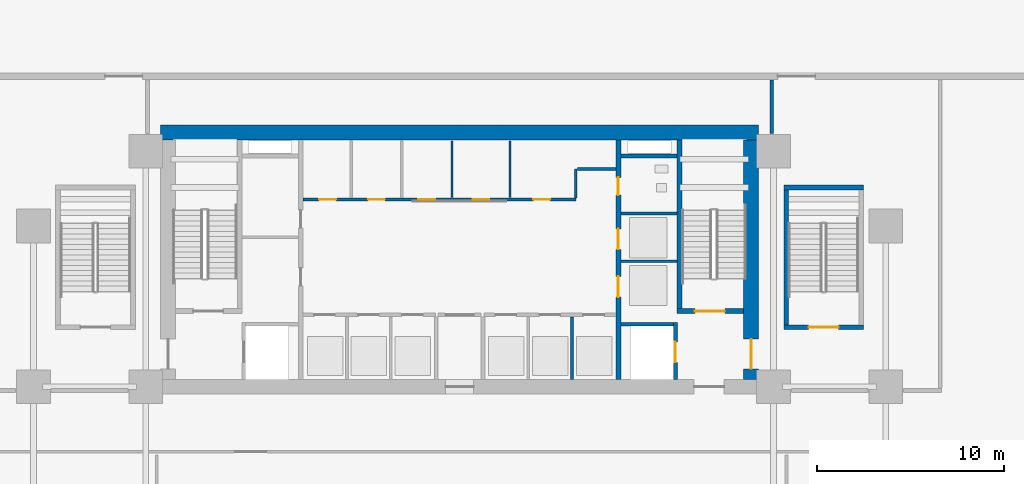
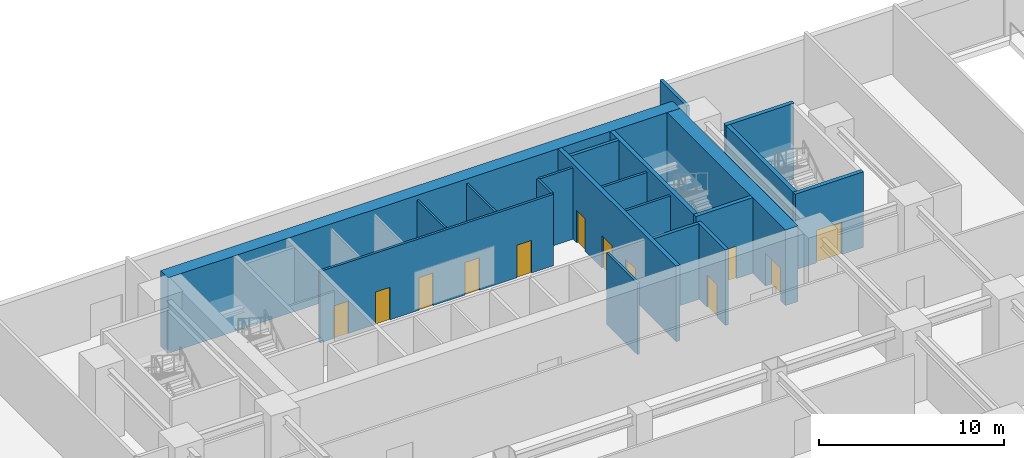
# One storey, part 10 of 18: 20 walls, 12 doors, 12 openings.
"""IFC4 building model written with IfcOpenShell, lengths in metres."""

from ifc_helpers import new_model, si_unit, direction, frame, frame_2d, origin, place, context, subcontext, project, spatial, rectangle, extrude, source, transform, mapped, material, layer, layer_set, type_object, element, fill, save


model = new_model("IFC4")

# Units and contexts
model_context = context("Model", 3, precision=1e-05, world=origin(), true_north=direction((0.0, 1.0)))
body_context = subcontext(model_context, "Body", "Model", "MODEL_VIEW")
ifc_project = project(units=[si_unit("LENGTHUNIT", "METRE"), si_unit("AREAUNIT", "SQUARE_METRE"), si_unit("VOLUMEUNIT", "CUBIC_METRE"), si_unit("PLANEANGLEUNIT", "RADIAN"), si_unit("MASSUNIT", "GRAM", prefix="KILO")], contexts=[model_context])

# Site, building, storey
site_placement = place(None, origin())
site = spatial("IfcSite", under=ifc_project, at=site_placement, CompositionType="ELEMENT")
building_placement = place(site_placement, origin())
building = spatial("IfcBuilding", under=site, at=building_placement, Name="Sumidabori Civic Tower", CompositionType="ELEMENT")
storey_placement = place(building_placement, origin())
storey = spatial("IfcBuildingStorey", under=building, at=storey_placement, Name="L00", CompositionType="ELEMENT", Elevation=0.0)

# Wall
ifc_material_1 = material(Name="Concrete C60/75", Category="concrete")
ifc_layer_1 = layer(ifc_material_1, 0.800048828125, Name="Concrete C60/75")
ifc_layer_set_1 = layer_set([ifc_layer_1], Name="Concrete C60/75")
wall_type_1 = type_object("IfcWallType", Name="WL-CORE-800", PredefinedType="SHEAR", material=ifc_layer_set_1)
shared_shape_1 = source(origin(), body_context, "Body", "SweptSolid", [
    extrude(rectangle(XDim=32.0, YDim=0.800048828125, at=frame_2d((16.0, 0.0))), origin(), (0.0, 0.0, 1.0), 5.0),
])
wall_1_placement = place(storey_placement, frame((-16.0, 23.800048828125, 0.0), z_axis=(0.0, 0.0, 1.0), x_axis=(1.0, 0.0, 0.0)))
element("IfcWall", 1, at=wall_1_placement, inside=storey, type_object=wall_type_1, Name="Core Shear Wall L00 N", PredefinedType="SHEAR", context=body_context, shape_type="MappedRepresentation", body=[
    mapped(shared_shape_1, transform((0.0, 0.0, 0.0), x_axis=(1.0, 0.0, 0.0), y_axis=(0.0, 1.0, 0.0), z_axis=(0.0, 0.0, 1.0), scale=1.0)),
])

# Wall, opening, door
shared_shape_2 = source(origin(), body_context, "Body", "SweptSolid", [
    extrude(rectangle(XDim=12.7998046875, YDim=0.800048828125, at=frame_2d((6.39990234375, 0.0))), origin(), (0.0, 0.0, 1.0), 5.0),
])
wall_2_placement = place(storey_placement, frame((15.60009765625, 10.60009765625, 0.0), z_axis=(0.0, 0.0, 1.0), x_axis=(0.0, 1.0, 0.0)))
wall_2 = element("IfcWall", 2, at=wall_2_placement, inside=storey, type_object=wall_type_1, Name="Core Shear Wall L00 E", PredefinedType="SHEAR", context=body_context, shape_type="MappedRepresentation", body=[
    mapped(shared_shape_2, transform((0.0, 0.0, 0.0), x_axis=(1.0, 0.0, 0.0), y_axis=(0.0, 1.0, 0.0), z_axis=(0.0, 0.0, 1.0), scale=1.0)),
])
opening_1_placement = place(wall_2_placement, frame((0.550048828125, 0.0, 0.0)))
opening_1 = element("IfcOpeningElement", 3, at=opening_1_placement, cuts=wall_2, Name="Opening DR-FD4", PredefinedType="OPENING", context=body_context, shape_type="SweptSolid", body=[
    extrude(rectangle(XDim=1.60009765625, YDim=2.14990234375, at=frame_2d((0.800048828125, 1.074951171875))), frame((0.0, 0.412109375, 0.0), z_axis=(0.0, -1.0, 0.0), x_axis=(1.0, 0.0, 0.0)), (0.0, 0.0, 1.0), 0.823974609375),
])
ifc_material_2 = material(Name="Steel SN490", Category="steel")
door_type_1 = type_object("IfcDoorType", Name="DR-FD4", OperationType="DOUBLE_DOOR_SINGLE_SWING", PredefinedType="DOOR", material=ifc_material_2)
shared_shape_3 = source(origin(), body_context, "Body", "SweptSolid", [
    extrude(rectangle(XDim=1.60009765625, YDim=2.14990234375, at=frame_2d((0.800048828125, 1.074951171875))), frame((0.0, 0.02490234375, 0.0), z_axis=(0.0, -1.0, 0.0), x_axis=(1.0, 0.0, 0.0)), (0.0, 0.0, 1.0), 0.050048828125),
])
door_1_placement = place(opening_1_placement, origin())
door_1 = element("IfcDoor", 4, at=door_1_placement, inside=storey, type_object=door_type_1, Name="Door DR:L00:EXP-IN-E", OperationType="DOUBLE_DOOR_SINGLE_SWING", OverallHeight=2.14990234375, OverallWidth=1.60009765625, PredefinedType="DOOR", context=body_context, shape_type="MappedRepresentation", body=[
    mapped(shared_shape_3, transform((0.0, 0.0, 0.0), x_axis=(1.0, 0.0, 0.0), y_axis=(0.0, 1.0, 0.0), z_axis=(0.0, 0.0, 1.0), scale=1.0)),
])
fill(opening_1, door_1)

# Wall, openings, doors
ifc_material_3 = material(Name="Concrete C50/60", Category="concrete")
ifc_layer_2 = layer(ifc_material_3, 0.25, Name="Concrete C50/60")
ifc_layer_set_2 = layer_set([ifc_layer_2], Name="Concrete C50/60")
wall_type_2 = type_object("IfcWallType", Name="WL-SHAFT-250", PredefinedType="SHEAR", material=ifc_layer_set_2)
shared_shape_4 = source(origin(), body_context, "Body", "SweptSolid", [
    extrude(rectangle(XDim=12.7998046875, YDim=0.25, at=frame_2d((6.39990234375, 0.0))), origin(), (0.0, 0.0, 1.0), 5.0),
])
wall_3_placement = place(storey_placement, frame((8.5, 10.60009765625, 0.0), z_axis=(0.0, 0.0, 1.0), x_axis=(0.0, 1.0, 0.0)))
wall_3 = element("IfcWall", 5, at=wall_3_placement, inside=storey, type_object=wall_type_2, Name="Core Shear Wall L00 WEB-E", PredefinedType="SHEAR", context=body_context, shape_type="MappedRepresentation", body=[
    mapped(shared_shape_4, transform((0.0, 0.0, 0.0), x_axis=(1.0, 0.0, 0.0), y_axis=(0.0, 1.0, 0.0), z_axis=(0.0, 0.0, 1.0), scale=1.0)),
])
opening_2_placement = place(wall_3_placement, frame((4.39990234375, 0.0, 0.0)))
opening_2 = element("IfcOpeningElement", 6, at=opening_2_placement, cuts=wall_3, Name="Opening LD-1", PredefinedType="OPENING", context=body_context, shape_type="SweptSolid", body=[
    extrude(rectangle(XDim=1.10009765625, YDim=2.14990234375, at=frame_2d((0.550048828125, 1.074951171875))), frame((0.0, 0.136962890625, 0.0), z_axis=(0.0, -1.0, 0.0), x_axis=(1.0, 0.0, 0.0)), (0.0, 0.0, 1.0), 0.27392578125),
])
opening_3_placement = place(wall_3_placement, frame((6.949951171875, 0.0, 0.0)))
opening_3 = element("IfcOpeningElement", 7, at=opening_3_placement, cuts=wall_3, Name="Opening LD-1", PredefinedType="OPENING", context=body_context, shape_type="SweptSolid", body=[
    extrude(rectangle(XDim=1.10009765625, YDim=2.14990234375, at=frame_2d((0.550048828125, 1.074951171875))), frame((0.0, 0.136962890625, 0.0), z_axis=(0.0, -1.0, 0.0), x_axis=(1.0, 0.0, 0.0)), (0.0, 0.0, 1.0), 0.27392578125),
])
opening_4_placement = place(wall_3_placement, frame((9.85009765625, 0.0, 0.0)))
opening_4 = element("IfcOpeningElement", 8, at=opening_4_placement, cuts=wall_3, Name="Opening DR-2", PredefinedType="OPENING", context=body_context, shape_type="SweptSolid", body=[
    extrude(rectangle(XDim=0.949951171875, YDim=2.14990234375, at=frame_2d((0.47509765625, 1.074951171875))), frame((0.0, 0.136962890625, 0.0), z_axis=(0.0, -1.0, 0.0), x_axis=(1.0, 0.0, 0.0)), (0.0, 0.0, 1.0), 0.27392578125),
])
ifc_material_4 = material(Name="Stainless Steel Hairline Finish", Category="steel")
door_type_2 = type_object("IfcDoorType", Name="DR-LD1", OperationType="DOUBLE_DOOR_SLIDING", PredefinedType="DOOR", material=ifc_material_4)
shared_shape_5 = source(origin(), body_context, "Body", "SweptSolid", [
    extrude(rectangle(XDim=1.10009765625, YDim=2.14990234375, at=frame_2d((0.550048828125, 1.074951171875))), frame((0.0, 0.02490234375, 0.0), z_axis=(0.0, -1.0, 0.0), x_axis=(1.0, 0.0, 0.0)), (0.0, 0.0, 1.0), 0.050048828125),
])
door_2_placement = place(opening_2_placement, origin())
door_2 = element("IfcDoor", 9, at=door_2_placement, inside=storey, type_object=door_type_2, Name="Door DR:L00:LD-OBS1", OperationType="DOUBLE_DOOR_SLIDING", OverallHeight=2.14990234375, OverallWidth=1.10009765625, PredefinedType="DOOR", context=body_context, shape_type="MappedRepresentation", body=[
    mapped(shared_shape_5, transform((0.0, 0.0, 0.0), x_axis=(1.0, 0.0, 0.0), y_axis=(0.0, 1.0, 0.0), z_axis=(0.0, 0.0, 1.0), scale=1.0)),
])
fill(opening_2, door_2)
door_3_placement = place(opening_3_placement, origin())
door_3 = element("IfcDoor", 10, at=door_3_placement, inside=storey, type_object=door_type_2, Name="Door DR:L00:LD-OBS2", OperationType="DOUBLE_DOOR_SLIDING", OverallHeight=2.14990234375, OverallWidth=1.10009765625, PredefinedType="DOOR", context=body_context, shape_type="MappedRepresentation", body=[
    mapped(shared_shape_5, transform((0.0, 0.0, 0.0), x_axis=(1.0, 0.0, 0.0), y_axis=(0.0, 1.0, 0.0), z_axis=(0.0, 0.0, 1.0), scale=1.0)),
])
fill(opening_3, door_3)
ifc_material_5 = material(Name="Japanese Hinoki Timber", Category="wood")
door_type_3 = type_object("IfcDoorType", Name="DR-INT-950", OperationType="NOTDEFINED", PredefinedType="DOOR", material=ifc_material_5)
shared_shape_6 = source(origin(), body_context, "Body", "SweptSolid", [
    extrude(rectangle(XDim=0.949951171875, YDim=2.14990234375, at=frame_2d((0.47509765625, 1.074951171875))), frame((0.0, 0.02490234375, 0.0), z_axis=(0.0, -1.0, 0.0), x_axis=(1.0, 0.0, 0.0)), (0.0, 0.0, 1.0), 0.050048828125),
])
door_4_placement = place(opening_4_placement, origin())
door_4 = element("IfcDoor", 11, at=door_4_placement, inside=storey, type_object=door_type_3, Name="Door DR:L00:WC-ACC", OperationType="SINGLE_SWING_RIGHT", OverallHeight=2.14990234375, OverallWidth=0.949951171875, PredefinedType="DOOR", context=body_context, shape_type="MappedRepresentation", body=[
    mapped(shared_shape_6, transform((0.0, 0.0, 0.0), x_axis=(1.0, 0.0, 0.0), y_axis=(0.0, 1.0, 0.0), z_axis=(0.0, 0.0, 1.0), scale=1.0)),
])
fill(opening_4, door_4)

# Wall, opening, door
shared_shape_7 = source(origin(), body_context, "Body", "SweptSolid", [
    extrude(rectangle(XDim=3.554931640625, YDim=0.25, at=frame_2d((1.77734375, 0.0))), origin(), (0.0, 0.0, 1.0), 5.0),
])
wall_4_placement = place(storey_placement, frame((11.64501953125, 14.25, 0.0), z_axis=(0.0, 0.0, 1.0), x_axis=(1.0, 0.0, 0.0)))
wall_4 = element("IfcWall", 12, at=wall_4_placement, inside=storey, type_object=wall_type_2, Name="Core Shear Wall L00 ST2-S", PredefinedType="SHEAR", context=body_context, shape_type="MappedRepresentation", body=[
    mapped(shared_shape_7, transform((0.0, 0.0, 0.0), x_axis=(1.0, 0.0, 0.0), y_axis=(0.0, 1.0, 0.0), z_axis=(0.0, 0.0, 1.0), scale=1.0)),
])
opening_5_placement = place(wall_4_placement, frame((0.949951171875, 0.0, 0.0)))
opening_5 = element("IfcOpeningElement", 13, at=opening_5_placement, cuts=wall_4, Name="Opening DR-FD4", PredefinedType="OPENING", context=body_context, shape_type="SweptSolid", body=[
    extrude(rectangle(XDim=1.60009765625, YDim=2.14990234375, at=frame_2d((0.800048828125, 1.074951171875))), frame((0.0, 0.136962890625, 0.0), z_axis=(0.0, -1.0, 0.0), x_axis=(1.0, 0.0, 0.0)), (0.0, 0.0, 1.0), 0.27392578125),
])
door_5_placement = place(opening_5_placement, origin())
door_5 = element("IfcDoor", 14, at=door_5_placement, inside=storey, type_object=door_type_1, Name="Door DR:L00:ST2", OperationType="DOUBLE_DOOR_SINGLE_SWING", OverallHeight=2.14990234375, OverallWidth=1.60009765625, PredefinedType="DOOR", context=body_context, shape_type="MappedRepresentation", body=[
    mapped(shared_shape_3, transform((0.0, 0.0, 0.0), x_axis=(1.0, 0.0, 0.0), y_axis=(0.0, 1.0, 0.0), z_axis=(0.0, 0.0, 1.0), scale=1.0)),
])
fill(opening_5, door_5)

# Wall
shared_shape_8 = source(origin(), body_context, "Body", "SweptSolid", [
    extrude(rectangle(XDim=9.02490234375, YDim=0.25, at=frame_2d((4.512451171875, 0.0))), origin(), (0.0, 0.0, 1.0), 5.0),
])
wall_5_placement = place(storey_placement, frame((11.77001953125, 14.375, 0.0), z_axis=(0.0, 0.0, 1.0), x_axis=(0.0, 1.0, 0.0)))
element("IfcWall", 15, at=wall_5_placement, inside=storey, type_object=wall_type_2, Name="Core Shear Wall L00 ST2-W", PredefinedType="SHEAR", context=body_context, shape_type="MappedRepresentation", body=[
    mapped(shared_shape_8, transform((0.0, 0.0, 0.0), x_axis=(1.0, 0.0, 0.0), y_axis=(0.0, 1.0, 0.0), z_axis=(0.0, 0.0, 1.0), scale=1.0)),
])

# Wall, opening, door
ifc_layer_3 = layer(ifc_material_3, 0.199951171875, Name="Concrete C50/60")
ifc_layer_set_3 = layer_set([ifc_layer_3], Name="Concrete C50/60")
wall_type_3 = type_object("IfcWallType", Name="WL-SHAFT-200", PredefinedType="SHEAR", material=ifc_layer_set_3)
shared_shape_9 = source(origin(), body_context, "Body", "SweptSolid", [
    extrude(rectangle(XDim=3.0498046875, YDim=0.199951171875, at=frame_2d((1.52490234375, 0.0))), origin(), (0.0, 0.0, 1.0), 5.0),
])
wall_6_placement = place(storey_placement, frame((11.550048828125, 10.60009765625, 0.0), z_axis=(0.0, 0.0, 1.0), x_axis=(0.0, 1.0, 0.0)))
wall_6 = element("IfcWall", 16, at=wall_6_placement, inside=storey, type_object=wall_type_3, Name="Core Shear Wall L00 EL2-E", PredefinedType="SHEAR", context=body_context, shape_type="MappedRepresentation", body=[
    mapped(shared_shape_9, transform((0.0, 0.0, 0.0), x_axis=(1.0, 0.0, 0.0), y_axis=(0.0, 1.0, 0.0), z_axis=(0.0, 0.0, 1.0), scale=1.0)),
])
opening_6_placement = place(wall_6_placement, frame((0.89990234375, 0.0, 0.0)))
opening_6 = element("IfcOpeningElement", 17, at=opening_6_placement, cuts=wall_6, Name="Opening LD-2", PredefinedType="OPENING", context=body_context, shape_type="SweptSolid", body=[
    extrude(rectangle(XDim=1.10009765625, YDim=2.14990234375, at=frame_2d((0.550048828125, 1.074951171875))), frame((0.0, 0.11181640625, 0.0), z_axis=(0.0, -1.0, 0.0), x_axis=(1.0, 0.0, 0.0)), (0.0, 0.0, 1.0), 0.223876953125),
])
door_type_4 = type_object("IfcDoorType", Name="DR-LD2", OperationType="DOUBLE_DOOR_SLIDING", PredefinedType="DOOR", material=ifc_material_4)
door_6_placement = place(opening_6_placement, origin())
door_6 = element("IfcDoor", 18, at=door_6_placement, inside=storey, type_object=door_type_4, Name="Door DR:L00:LD-EL2", OperationType="DOUBLE_DOOR_SLIDING", OverallHeight=2.14990234375, OverallWidth=1.10009765625, PredefinedType="DOOR", context=body_context, shape_type="MappedRepresentation", body=[
    mapped(shared_shape_5, transform((0.0, 0.0, 0.0), x_axis=(1.0, 0.0, 0.0), y_axis=(0.0, 1.0, 0.0), z_axis=(0.0, 0.0, 1.0), scale=1.0)),
])
fill(opening_6, door_6)

# Walls
shared_shape_10 = source(origin(), body_context, "Body", "SweptSolid", [
    extrude(rectangle(XDim=2.824951171875, YDim=0.199951171875, at=frame_2d((1.41259765625, 0.0))), origin(), (0.0, 0.0, 1.0), 5.0),
])
wall_7_placement = place(storey_placement, frame((8.625, 13.550048828125, 0.0), z_axis=(0.0, 0.0, 1.0), x_axis=(1.0, 0.0, 0.0)))
element("IfcWall", 19, at=wall_7_placement, inside=storey, type_object=wall_type_3, Name="Core Shear Wall L00 EL2-N", PredefinedType="SHEAR", context=body_context, shape_type="MappedRepresentation", body=[
    mapped(shared_shape_10, transform((0.0, 0.0, 0.0), x_axis=(1.0, 0.0, 0.0), y_axis=(0.0, 1.0, 0.0), z_axis=(0.0, 0.0, 1.0), scale=1.0)),
])
shared_shape_11 = source(origin(), body_context, "Body", "SweptSolid", [
    extrude(rectangle(XDim=3.02001953125, YDim=0.199951171875, at=frame_2d((1.510009765625, 0.0))), origin(), (0.0, 0.0, 1.0), 5.0),
])
wall_8_placement = place(storey_placement, frame((8.625, 22.550048828125, 0.0), z_axis=(0.0, 0.0, 1.0), x_axis=(1.0, 0.0, 0.0)))
element("IfcWall", 20, at=wall_8_placement, inside=storey, type_object=wall_type_3, Name="Core Shear Wall L00 RIS2-S", PredefinedType="SHEAR", context=body_context, shape_type="MappedRepresentation", body=[
    mapped(shared_shape_11, transform((0.0, 0.0, 0.0), x_axis=(1.0, 0.0, 0.0), y_axis=(0.0, 1.0, 0.0), z_axis=(0.0, 0.0, 1.0), scale=1.0)),
])
shared_shape_12 = source(origin(), body_context, "Body", "SweptSolid", [
    extrude(rectangle(XDim=4.260009765625, YDim=0.25, at=frame_2d((2.1298828125, 0.0))), origin(), (0.0, 0.0, 1.0), 5.0),
])
wall_9_placement = place(storey_placement, frame((17.35009765625, 20.864990234375, 0.0), z_axis=(0.0, 0.0, 1.0), x_axis=(1.0, 0.0, 0.0)))
element("IfcWall", 21, at=wall_9_placement, inside=storey, type_object=wall_type_2, Name="Core Shear Wall L00 ST4-N", PredefinedType="SHEAR", context=body_context, shape_type="MappedRepresentation", body=[
    mapped(shared_shape_12, transform((0.0, 0.0, 0.0), x_axis=(1.0, 0.0, 0.0), y_axis=(0.0, 1.0, 0.0), z_axis=(0.0, 0.0, 1.0), scale=1.0)),
])

# Wall, opening, door
wall_10_placement = place(storey_placement, frame((17.35009765625, 13.375, 0.0), z_axis=(0.0, 0.0, 1.0), x_axis=(1.0, 0.0, 0.0)))
wall_10 = element("IfcWall", 22, at=wall_10_placement, inside=storey, type_object=wall_type_2, Name="Core Shear Wall L00 ST4-S", PredefinedType="SHEAR", context=body_context, shape_type="MappedRepresentation", body=[
    mapped(shared_shape_12, transform((0.0, 0.0, 0.0), x_axis=(1.0, 0.0, 0.0), y_axis=(0.0, 1.0, 0.0), z_axis=(0.0, 0.0, 1.0), scale=1.0)),
])
opening_7_placement = place(wall_10_placement, frame((1.330078125, 0.0, 0.0)))
opening_7 = element("IfcOpeningElement", 23, at=opening_7_placement, cuts=wall_10, Name="Opening DR-FD4", PredefinedType="OPENING", context=body_context, shape_type="SweptSolid", body=[
    extrude(rectangle(XDim=1.60009765625, YDim=2.14990234375, at=frame_2d((0.800048828125, 1.074951171875))), frame((0.0, 0.136962890625, 0.0), z_axis=(0.0, -1.0, 0.0), x_axis=(1.0, 0.0, 0.0)), (0.0, 0.0, 1.0), 0.27392578125),
])
door_7_placement = place(opening_7_placement, origin())
door_7 = element("IfcDoor", 24, at=door_7_placement, inside=storey, type_object=door_type_1, Name="Door DR:L00:ST4", OperationType="DOUBLE_DOOR_SINGLE_SWING", OverallHeight=2.14990234375, OverallWidth=1.60009765625, PredefinedType="DOOR", context=body_context, shape_type="MappedRepresentation", body=[
    mapped(shared_shape_3, transform((0.0, 0.0, 0.0), x_axis=(1.0, 0.0, 0.0), y_axis=(0.0, 1.0, 0.0), z_axis=(0.0, 0.0, 1.0), scale=1.0)),
])
fill(opening_7, door_7)

# Walls
shared_shape_13 = source(origin(), body_context, "Body", "SweptSolid", [
    extrude(rectangle(XDim=7.230224609375, YDim=0.25, at=frame_2d((3.615234375, 0.0))), origin(), (0.0, 0.0, 1.0), 5.0),
])
wall_11_placement = place(storey_placement, frame((17.47509765625, 13.5048828125, 0.0), z_axis=(0.0, 0.0, 1.0), x_axis=(0.0, 1.0, 0.0)))
element("IfcWall", 25, at=wall_11_placement, inside=storey, type_object=wall_type_2, Name="Core Shear Wall L00 ST4-W", PredefinedType="SHEAR", context=body_context, shape_type="MappedRepresentation", body=[
    mapped(shared_shape_13, transform((0.0, 0.0, 0.0), x_axis=(1.0, 0.0, 0.0), y_axis=(0.0, 1.0, 0.0), z_axis=(0.0, 0.0, 1.0), scale=1.0)),
])
ifc_material_6 = material(Name="Gypsum Plasterboard Acoustic Partition")
ifc_layer_4 = layer(ifc_material_6, 0.14990234375, Name="Gypsum Plasterboard Acoustic Partition")
ifc_layer_set_4 = layer_set([ifc_layer_4], Name="Gypsum Plasterboard Acoustic Partition")
wall_type_4 = type_object("IfcWallType", Name="WL-PART-150", PredefinedType="PARTITIONING", material=ifc_layer_set_4)
shared_shape_14 = source(origin(), body_context, "Body", "SweptSolid", [
    extrude(rectangle(XDim=3.010009765625, YDim=0.14990234375, at=frame_2d((1.5048828125, 0.0))), origin(), (0.0, 0.0, 1.0), 4.719970703125),
])
for number, where, z_axis, x_axis, name in (
    (26, (8.6298828125, 16.919921875, 0.0), (0.0, 0.0, 1.0), (1.0, 0.0, 0.0), "Interior Partition WL:L00:DIV-OBS1"),
    (27, (8.6298828125, 19.469970703125, 0.0), (0.0, 0.0, 1.0), (1.0, 0.0, 0.0), "Interior Partition WL:L00:DIV-OBS2"),
):
    element("IfcWall", number, at=place(storey_placement, frame(where, z_axis=z_axis, x_axis=x_axis)), inside=storey, type_object=wall_type_4, Name=name, PredefinedType="PARTITIONING", context=body_context, shape_type="MappedRepresentation", body=[
        mapped(shared_shape_14, transform((0.0, 0.0, 0.0), x_axis=(1.0, 0.0, 0.0), y_axis=(0.0, 1.0, 0.0), z_axis=(0.0, 0.0, 1.0), scale=1.0)),
    ])

# Wall, openings, doors
shared_shape_15 = source(origin(), body_context, "Body", "SweptSolid", [
    extrude(rectangle(XDim=14.590087890625, YDim=0.14990234375, at=frame_2d((7.294921875, 0.0))), origin(), (0.0, 0.0, 1.0), 4.719970703125),
])
wall_12_placement = place(storey_placement, frame((-8.3701171875, 20.219970703125, 0.0), z_axis=(0.0, 0.0, 1.0), x_axis=(1.0, 0.0, 0.0)))
wall_12 = element("IfcWall", 28, at=wall_12_placement, inside=storey, type_object=wall_type_4, Name="Interior Partition WL:L00:CBAND-M", PredefinedType="PARTITIONING", context=body_context, shape_type="MappedRepresentation", body=[
    mapped(shared_shape_15, transform((0.0, 0.0, 0.0), x_axis=(1.0, 0.0, 0.0), y_axis=(0.0, 1.0, 0.0), z_axis=(0.0, 0.0, 1.0), scale=1.0)),
])
opening_8_placement = place(wall_12_placement, frame((0.860107421875, 0.0, 0.0)))
opening_8 = element("IfcOpeningElement", 29, at=opening_8_placement, cuts=wall_12, Name="Opening DR-1", PredefinedType="OPENING", context=body_context, shape_type="SweptSolid", body=[
    extrude(rectangle(XDim=0.89990234375, YDim=2.14990234375, at=frame_2d((0.449951171875, 1.074951171875))), frame((0.0, 0.0869140625, 0.0), z_axis=(0.0, -1.0, 0.0), x_axis=(1.0, 0.0, 0.0)), (0.0, 0.0, 1.0), 0.173828125),
])
opening_9_placement = place(wall_12_placement, frame((3.469970703125, 0.0, 0.0)))
opening_9 = element("IfcOpeningElement", 30, at=opening_9_placement, cuts=wall_12, Name="Opening DR-1", PredefinedType="OPENING", context=body_context, shape_type="SweptSolid", body=[
    extrude(rectangle(XDim=0.89990234375, YDim=2.14990234375, at=frame_2d((0.449951171875, 1.074951171875))), frame((0.0, 0.0869140625, 0.0), z_axis=(0.0, -1.0, 0.0), x_axis=(1.0, 0.0, 0.0)), (0.0, 0.0, 1.0), 0.173828125),
])
opening_10_placement = place(wall_12_placement, frame((6.169921875, 0.0, 0.0)))
opening_10 = element("IfcOpeningElement", 31, at=opening_10_placement, cuts=wall_12, Name="Opening DR-1", PredefinedType="OPENING", context=body_context, shape_type="SweptSolid", body=[
    extrude(rectangle(XDim=0.89990234375, YDim=2.14990234375, at=frame_2d((0.449951171875, 1.074951171875))), frame((0.0, 0.0869140625, 0.0), z_axis=(0.0, -1.0, 0.0), x_axis=(1.0, 0.0, 0.0)), (0.0, 0.0, 1.0), 0.173828125),
])
opening_11_placement = place(wall_12_placement, frame((9.070068359375, 0.0, 0.0)))
opening_11 = element("IfcOpeningElement", 32, at=opening_11_placement, cuts=wall_12, Name="Opening DR-1", PredefinedType="OPENING", context=body_context, shape_type="SweptSolid", body=[
    extrude(rectangle(XDim=0.89990234375, YDim=2.14990234375, at=frame_2d((0.449951171875, 1.074951171875))), frame((0.0, 0.0869140625, 0.0), z_axis=(0.0, -1.0, 0.0), x_axis=(1.0, 0.0, 0.0)), (0.0, 0.0, 1.0), 0.173828125),
])
opening_12_placement = place(wall_12_placement, frame((12.320068359375, 0.0, 0.0)))
opening_12 = element("IfcOpeningElement", 33, at=opening_12_placement, cuts=wall_12, Name="Opening DR-1", PredefinedType="OPENING", context=body_context, shape_type="SweptSolid", body=[
    extrude(rectangle(XDim=0.89990234375, YDim=2.14990234375, at=frame_2d((0.449951171875, 1.074951171875))), frame((0.0, 0.0869140625, 0.0), z_axis=(0.0, -1.0, 0.0), x_axis=(1.0, 0.0, 0.0)), (0.0, 0.0, 1.0), 0.173828125),
])
door_type_5 = type_object("IfcDoorType", Name="DR-INT-900", OperationType="NOTDEFINED", PredefinedType="DOOR", material=ifc_material_5)
shared_shape_16 = source(origin(), body_context, "Body", "SweptSolid", [
    extrude(rectangle(XDim=0.89990234375, YDim=2.14990234375, at=frame_2d((0.449951171875, 1.074951171875))), frame((0.0, 0.02490234375, 0.0), z_axis=(0.0, -1.0, 0.0), x_axis=(1.0, 0.0, 0.0)), (0.0, 0.0, 1.0), 0.050048828125),
])
door_8_placement = place(opening_8_placement, origin())
door_8 = element("IfcDoor", 34, at=door_8_placement, inside=storey, type_object=door_type_5, Name="Door DR:L00:CB-1", OperationType="SINGLE_SWING_LEFT", OverallHeight=2.14990234375, OverallWidth=0.89990234375, PredefinedType="DOOR", context=body_context, shape_type="MappedRepresentation", body=[
    mapped(shared_shape_16, transform((0.0, 0.0, 0.0), x_axis=(1.0, 0.0, 0.0), y_axis=(0.0, 1.0, 0.0), z_axis=(0.0, 0.0, 1.0), scale=1.0)),
])
fill(opening_8, door_8)
door_9_placement = place(opening_9_placement, origin())
door_9 = element("IfcDoor", 35, at=door_9_placement, inside=storey, type_object=door_type_5, Name="Door DR:L00:CB-2", OperationType="SINGLE_SWING_RIGHT", OverallHeight=2.14990234375, OverallWidth=0.89990234375, PredefinedType="DOOR", context=body_context, shape_type="MappedRepresentation", body=[
    mapped(shared_shape_16, transform((0.0, 0.0, 0.0), x_axis=(1.0, 0.0, 0.0), y_axis=(0.0, 1.0, 0.0), z_axis=(0.0, 0.0, 1.0), scale=1.0)),
])
fill(opening_9, door_9)
door_10_placement = place(opening_10_placement, origin())
door_10 = element("IfcDoor", 36, at=door_10_placement, inside=storey, type_object=door_type_5, Name="Door DR:L00:CB-3", OperationType="SINGLE_SWING_LEFT", OverallHeight=2.14990234375, OverallWidth=0.89990234375, PredefinedType="DOOR", context=body_context, shape_type="MappedRepresentation", body=[
    mapped(shared_shape_16, transform((0.0, 0.0, 0.0), x_axis=(1.0, 0.0, 0.0), y_axis=(0.0, 1.0, 0.0), z_axis=(0.0, 0.0, 1.0), scale=1.0)),
])
fill(opening_10, door_10)
door_11_placement = place(opening_11_placement, origin())
door_11 = element("IfcDoor", 37, at=door_11_placement, inside=storey, type_object=door_type_5, Name="Door DR:L00:CB-4", OperationType="SINGLE_SWING_RIGHT", OverallHeight=2.14990234375, OverallWidth=0.89990234375, PredefinedType="DOOR", context=body_context, shape_type="MappedRepresentation", body=[
    mapped(shared_shape_16, transform((0.0, 0.0, 0.0), x_axis=(1.0, 0.0, 0.0), y_axis=(0.0, 1.0, 0.0), z_axis=(0.0, 0.0, 1.0), scale=1.0)),
])
fill(opening_11, door_11)
door_12_placement = place(opening_12_placement, origin())
door_12 = element("IfcDoor", 38, at=door_12_placement, inside=storey, type_object=door_type_5, Name="Door DR:L00:CB-5", OperationType="SINGLE_SWING_LEFT", OverallHeight=2.14990234375, OverallWidth=0.89990234375, PredefinedType="DOOR", context=body_context, shape_type="MappedRepresentation", body=[
    mapped(shared_shape_16, transform((0.0, 0.0, 0.0), x_axis=(1.0, 0.0, 0.0), y_axis=(0.0, 1.0, 0.0), z_axis=(0.0, 0.0, 1.0), scale=1.0)),
])
fill(opening_12, door_12)

# Walls
shared_shape_17 = source(origin(), body_context, "Body", "SweptSolid", [
    extrude(rectangle(XDim=1.550048828125, YDim=0.14990234375, at=frame_2d((0.77490234375, 0.0))), origin(), (0.0, 0.0, 1.0), 4.719970703125),
])
wall_13_placement = place(storey_placement, frame((6.219970703125, 20.300048828125, 0.0), z_axis=(0.0, 0.0, 1.0), x_axis=(0.0, 1.0, 0.0)))
element("IfcWall", 39, at=wall_13_placement, inside=storey, type_object=wall_type_4, Name="Interior Partition WL:L00:CBAND-ME1", PredefinedType="PARTITIONING", context=body_context, shape_type="MappedRepresentation", body=[
    mapped(shared_shape_17, transform((0.0, 0.0, 0.0), x_axis=(1.0, 0.0, 0.0), y_axis=(0.0, 1.0, 0.0), z_axis=(0.0, 0.0, 1.0), scale=1.0)),
])
shared_shape_18 = source(origin(), body_context, "Body", "SweptSolid", [
    extrude(rectangle(XDim=2.070068359375, YDim=0.14990234375, at=frame_2d((1.03515625, 0.0))), origin(), (0.0, 0.0, 1.0), 4.719970703125),
])
wall_14_placement = place(storey_placement, frame((6.300048828125, 21.85009765625, 0.0), z_axis=(0.0, 0.0, 1.0), x_axis=(1.0, 0.0, 0.0)))
element("IfcWall", 40, at=wall_14_placement, inside=storey, type_object=wall_type_4, Name="Interior Partition WL:L00:CBAND-ME2", PredefinedType="PARTITIONING", context=body_context, shape_type="MappedRepresentation", body=[
    mapped(shared_shape_18, transform((0.0, 0.0, 0.0), x_axis=(1.0, 0.0, 0.0), y_axis=(0.0, 1.0, 0.0), z_axis=(0.0, 0.0, 1.0), scale=1.0)),
])
shared_shape_19 = source(origin(), body_context, "Body", "SweptSolid", [
    extrude(rectangle(XDim=3.33984375, YDim=0.14990234375, at=frame_2d((1.669921875, 0.0))), origin(), (0.0, 0.0, 1.0), 4.719970703125),
])
wall_15_placement = place(storey_placement, frame((6.02001953125, 10.60009765625, 0.0), z_axis=(0.0, 0.0, 1.0), x_axis=(0.0, 1.0, 0.0)))
element("IfcWall", 41, at=wall_15_placement, inside=storey, type_object=wall_type_4, Name="Interior Partition WL:L00:DIV-PLM2", PredefinedType="PARTITIONING", context=body_context, shape_type="MappedRepresentation", body=[
    mapped(shared_shape_19, transform((0.0, 0.0, 0.0), x_axis=(1.0, 0.0, 0.0), y_axis=(0.0, 1.0, 0.0), z_axis=(0.0, 0.0, 1.0), scale=1.0)),
])
ifc_layer_5 = layer(ifc_material_6, 0.1201171875, Name="Gypsum Plasterboard Acoustic Partition")
ifc_layer_set_5 = layer_set([ifc_layer_5], Name="Gypsum Plasterboard Acoustic Partition")
wall_type_5 = type_object("IfcWallType", Name="WL-PART-120", PredefinedType="PARTITIONING", material=ifc_layer_set_5)
shared_shape_20 = source(origin(), body_context, "Body", "SweptSolid", [
    extrude(rectangle(XDim=3.0400390625, YDim=0.1201171875, at=frame_2d((1.52001953125, 0.0))), origin(), (0.0, 0.0, 1.0), 4.719970703125),
])
for number, where, z_axis, x_axis, name in (
    (42, (-0.39990234375, 20.320068359375, 0.0), (0.0, 0.0, 1.0), (0.0, 1.0, 0.0), "Interior Partition WL:L00:LV8-S3"),
    (43, (2.699951171875, 20.320068359375, 0.0), (0.0, 0.0, 1.0), (0.0, 1.0, 0.0), "Interior Partition WL:L00:LV8-S4"),
):
    element("IfcWall", number, at=place(storey_placement, frame(where, z_axis=z_axis, x_axis=x_axis)), inside=storey, type_object=wall_type_5, Name=name, PredefinedType="PARTITIONING", context=body_context, shape_type="MappedRepresentation", body=[
        mapped(shared_shape_20, transform((0.0, 0.0, 0.0), x_axis=(1.0, 0.0, 0.0), y_axis=(0.0, 1.0, 0.0), z_axis=(0.0, 0.0, 1.0), scale=1.0)),
    ])
ifc_material_7 = material(Name="Gypsum Plasterboard Fire Partition")
ifc_layer_6 = layer(ifc_material_7, 0.199951171875, Name="Gypsum Plasterboard Fire Partition")
ifc_layer_set_6 = layer_set([ifc_layer_6], Name="Gypsum Plasterboard Fire Partition")
wall_type_6 = type_object("IfcWallType", Name="WL-PART-FIRE", PredefinedType="PARTITIONING", material=ifc_layer_set_6)
shared_shape_21 = source(origin(), body_context, "Body", "SweptSolid", [
    extrude(rectangle(XDim=2.8701171875, YDim=0.199951171875, at=frame_2d((1.43505859375, 0.0))), origin(), (0.0, 0.0, 1.0), 4.719970703125),
])
wall_16_placement = place(storey_placement, frame((16.699951171875, 23.75, 0.0), z_axis=(0.0, 0.0, 1.0), x_axis=(0.0, 1.0, 0.0)))
element("IfcWall", 44, at=wall_16_placement, inside=storey, type_object=wall_type_6, Name="Interior Partition WL:L00:EXP-EW", PredefinedType="PARTITIONING", context=body_context, shape_type="MappedRepresentation", body=[
    mapped(shared_shape_21, transform((0.0, 0.0, 0.0), x_axis=(1.0, 0.0, 0.0), y_axis=(0.0, 1.0, 0.0), z_axis=(0.0, 0.0, 1.0), scale=1.0)),
])

save(model, "model.ifc")
